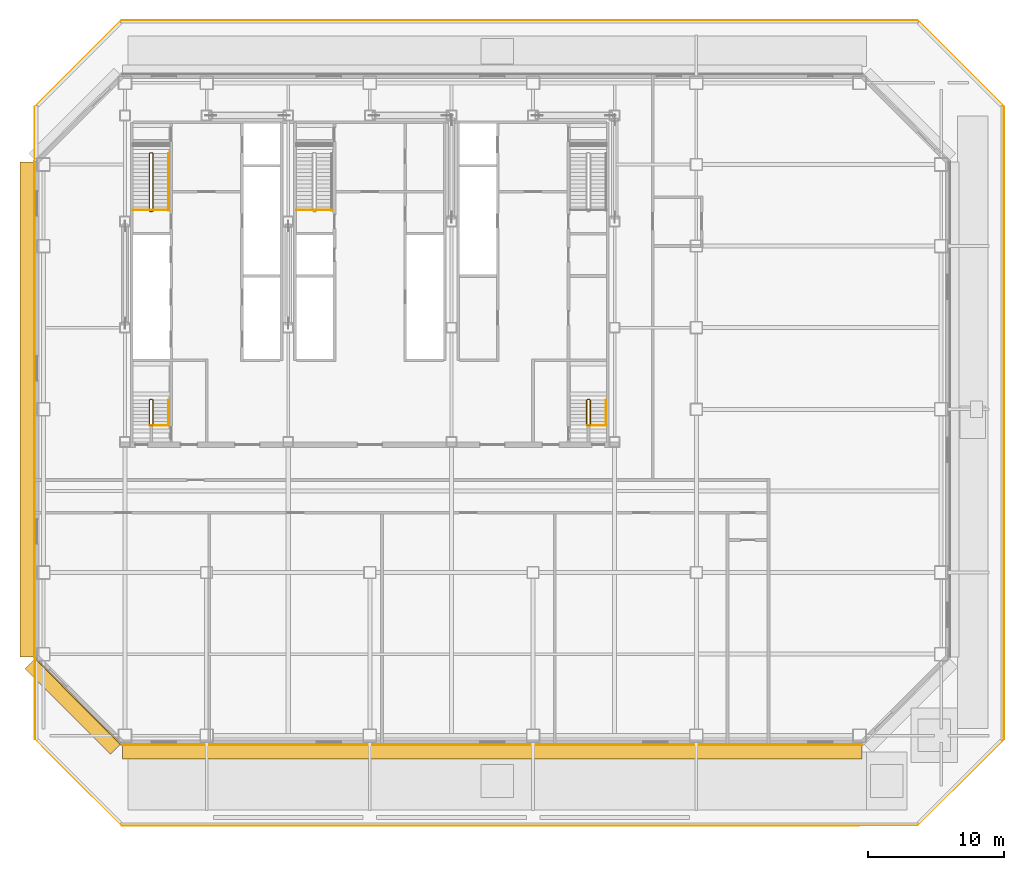
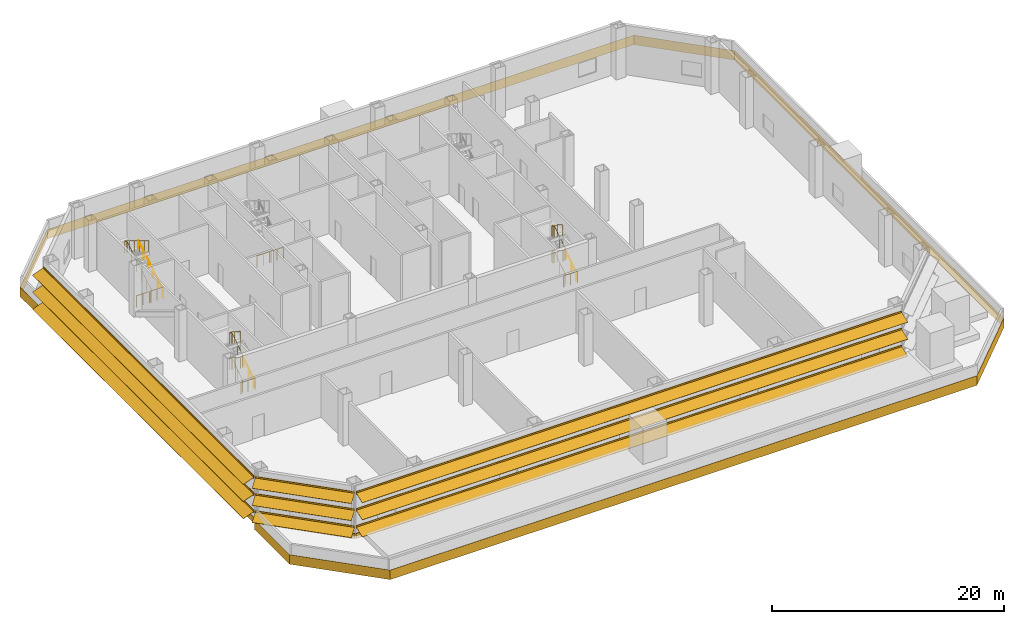
# One storey, part 9 of 11: 14 railings, 5 coverings, 3 shading devices.
"""IFC4 building model written with IfcOpenShell, lengths in metres."""

from ifc_helpers import new_model, si_unit, direction, frame, origin, origin_2d, place, context, subcontext, project, spatial, polyline, circle, outline, composite_profile, extrude, material, layer, layer_set, type_object, element, save


model = new_model("IFC4")

# Units and contexts
model_context = context("Model", 3, precision=1e-05, world=origin(), true_north=direction((0.0, 1.0)))
body_context = subcontext(model_context, "Body", "Model", "MODEL_VIEW")
ifc_project = project(units=[si_unit("LENGTHUNIT", "METRE"), si_unit("AREAUNIT", "SQUARE_METRE"), si_unit("VOLUMEUNIT", "CUBIC_METRE"), si_unit("PLANEANGLEUNIT", "RADIAN"), si_unit("MASSUNIT", "GRAM", prefix="KILO")], contexts=[model_context])

# Site, building, storey
site_placement = place(None, origin())
site = spatial("IfcSite", under=ifc_project, at=site_placement, CompositionType="ELEMENT")
building_placement = place(site_placement, origin())
building = spatial("IfcBuilding", under=site, at=building_placement, Name="Sorahane Residences", CompositionType="ELEMENT")
storey_placement = place(building_placement, frame((0.0, 0.0, 44.39990234375)))
storey = spatial("IfcBuildingStorey", under=building, at=storey_placement, Name="L07", CompositionType="ELEMENT", Elevation=44.39990234375)

# Coverings
ifc_material_1 = material(Name="Dark bronze aluminium", Category="aluminium")
ifc_layer_1 = layer(ifc_material_1, 0.02001953125)
ifc_layer_set_1 = layer_set([ifc_layer_1], Name="Edge fascia dark bronze aluminium 20")
covering_type_1 = type_object("IfcCoveringType", Name="Edge fascia dark bronze aluminium 20", PredefinedType="CLADDING", material=ifc_layer_set_1)
covering_1_placement = place(storey_placement, frame((0.0, 0.0, -1.0)))
element("IfcCovering", 1, at=covering_1_placement, inside=storey, type_object=covering_type_1, Name="Edge fascia L07.1.1", PredefinedType="CLADDING", context=body_context, shape_type="SweptSolid", body=[
    extrude(outline(polyline([(-0.62109375, 5.7373046875), (-0.60107421875, 5.7373046875), (-0.60107421875, -0.24853515625), (-0.62109375, -0.24853515625), (-0.62109375, 5.7373046875)])), origin(), (0.0, 0.0, 1.0), 1.0),
])
covering_2_placement = place(storey_placement, frame((0.0, 0.0, -1.0)))
element("IfcCovering", 2, at=covering_2_placement, inside=storey, type_object=covering_type_1, Name="Edge fascia L07.1.2", PredefinedType="CLADDING", context=body_context, shape_type="SweptSolid", body=[
    extrude(outline(polyline([(-0.62109375, 46.257080078125), (5.742919921875, 52.62109375), (64.257080078125, 52.62109375), (70.62109375, 46.257080078125), (70.62109375, -0.257080078125), (64.257080078125, -6.62109375), (5.742919921875, -6.62109375), (-0.61474609375, -0.263427734375), (-0.6005859375, -0.249267578125), (5.751220703125, -6.60107421875), (64.248779296875, -6.60107421875), (70.60107421875, -0.248779296875), (70.60107421875, 46.248779296875), (64.248779296875, 52.60107421875), (5.751220703125, 52.60107421875), (-0.60107421875, 46.248779296875), (-0.60107421875, 42.2626953125), (-0.62109375, 42.2626953125), (-0.62109375, 46.257080078125)])), origin(), (0.0, 0.0, 1.0), 1.0),
])

# Shading devices
ifc_material_2 = material(Name="Terracotta anodised aluminium", Category="masonry")
shading_device_type_1 = type_object("IfcShadingDeviceType", Name="Louvre sunshade blade S terracotta aluminium 1100", PredefinedType="JALOUSIE", material=ifc_material_2)
shading_device_1_placement = place(storey_placement, frame((5.801513671875, -0.60009765625, 0.900146484375), z_axis=(1.0, 0.0, 0.0), x_axis=(0.0, 1.0, 0.0)))
element("IfcShadingDevice", 3, at=shading_device_1_placement, inside=storey, type_object=shading_device_type_1, Name="Louvre sunshade blade bank S L07 S1", PredefinedType="JALOUSIE", context=body_context, shape_type="SweptSolid", body=[
    extrude(composite_profile([outline(polyline([(-1.1201171875, -0.385498046875), (-1.1201171875, -0.415283203125), (-0.080078125, -0.036865234375), (-0.080078125, -0.14990234375), (-0.02001953125, -0.14990234375), (-0.02001953125, -0.014892578125), (-0.02001953125, 0.014892578125), (-0.02001953125, 0.14990234375), (-0.080078125, 0.14990234375), (-0.080078125, -0.0068359375), (-1.1201171875, -0.385498046875)])), outline(polyline([(-1.1201171875, 1.41455078125), (-1.1201171875, 1.384521484375), (-0.080078125, 1.76318359375), (-0.080078125, 1.64990234375), (-0.02001953125, 1.64990234375), (-0.02001953125, 1.784912109375), (-0.02001953125, 1.81494140625), (-0.02001953125, 1.949951171875), (-0.080078125, 1.949951171875), (-0.080078125, 1.793212890625), (-1.1201171875, 1.41455078125)])), outline(polyline([(-1.1201171875, 3.214599609375), (-1.1201171875, 3.1845703125), (-0.080078125, 3.563232421875), (-0.080078125, 3.449951171875), (-0.02001953125, 3.449951171875), (-0.02001953125, 3.5849609375), (-0.02001953125, 3.614990234375), (-0.02001953125, 3.75), (-0.080078125, 3.75), (-0.080078125, 3.59326171875), (-1.1201171875, 3.214599609375)]))]), origin(), (0.0, 0.0, 1.0), 54.39697265625),
])
ifc_material_3 = material(Name="Terracotta anodised aluminium", Category="masonry")
shading_device_type_2 = type_object("IfcShadingDeviceType", Name="Louvre sunshade blade SW terracotta aluminium 1100", PredefinedType="JALOUSIE", material=ifc_material_3)
shading_device_2_placement = place(storey_placement, frame((-0.564697265625, 5.716064453125, 0.900146484375), z_axis=(0.707106781187, -0.707106781187, 0.0), x_axis=(0.707106781187, 0.707106781187, 0.0)))
element("IfcShadingDevice", 4, at=shading_device_2_placement, inside=storey, type_object=shading_device_type_2, Name="Louvre sunshade blade bank SW L07 SW1", PredefinedType="JALOUSIE", context=body_context, shape_type="SweptSolid", body=[
    extrude(composite_profile([outline(polyline([(-1.1201171875, -0.385498046875), (-1.1201171875, -0.415283203125), (-0.080078125, -0.036865234375), (-0.080078125, -0.14990234375), (-0.02001953125, -0.14990234375), (-0.02001953125, -0.014892578125), (-0.02001953125, 0.014892578125), (-0.02001953125, 0.14990234375), (-0.080078125, 0.14990234375), (-0.080078125, -0.0068359375), (-1.1201171875, -0.385498046875)])), outline(polyline([(-1.1201171875, 1.41455078125), (-1.1201171875, 1.384521484375), (-0.080078125, 1.76318359375), (-0.080078125, 1.64990234375), (-0.02001953125, 1.64990234375), (-0.02001953125, 1.784912109375), (-0.02001953125, 1.81494140625), (-0.02001953125, 1.949951171875), (-0.080078125, 1.949951171875), (-0.080078125, 1.793212890625), (-1.1201171875, 1.41455078125)])), outline(polyline([(-1.1201171875, 3.214599609375), (-1.1201171875, 3.1845703125), (-0.080078125, 3.563232421875), (-0.080078125, 3.449951171875), (-0.02001953125, 3.449951171875), (-0.02001953125, 3.5849609375), (-0.02001953125, 3.614990234375), (-0.02001953125, 3.75), (-0.080078125, 3.75), (-0.080078125, 3.59326171875), (-1.1201171875, 3.214599609375)]))]), origin(), (0.0, 0.0, 1.0), 8.88232421875),
])
ifc_material_4 = material(Name="Terracotta anodised aluminium", Category="masonry")
shading_device_type_3 = type_object("IfcShadingDeviceType", Name="Louvre sunshade blade W terracotta aluminium 1100", PredefinedType="JALOUSIE", material=ifc_material_4)
shading_device_3_placement = place(storey_placement, frame((-0.60009765625, 42.198486328125, 0.900146484375), z_axis=(0.0, -1.0, 0.0), x_axis=(1.0, 0.0, 0.0)))
element("IfcShadingDevice", 5, at=shading_device_3_placement, inside=storey, type_object=shading_device_type_3, Name="Louvre sunshade blade bank W L07 W1", PredefinedType="JALOUSIE", context=body_context, shape_type="SweptSolid", body=[
    extrude(composite_profile([outline(polyline([(-1.1201171875, -0.385498046875), (-1.1201171875, -0.415283203125), (-0.080078125, -0.036865234375), (-0.080078125, -0.14990234375), (-0.02001953125, -0.14990234375), (-0.02001953125, -0.014892578125), (-0.02001953125, 0.014892578125), (-0.02001953125, 0.14990234375), (-0.080078125, 0.14990234375), (-0.080078125, -0.0068359375), (-1.1201171875, -0.385498046875)])), outline(polyline([(-1.1201171875, 1.41455078125), (-1.1201171875, 1.384521484375), (-0.080078125, 1.76318359375), (-0.080078125, 1.64990234375), (-0.02001953125, 1.64990234375), (-0.02001953125, 1.784912109375), (-0.02001953125, 1.81494140625), (-0.02001953125, 1.949951171875), (-0.080078125, 1.949951171875), (-0.080078125, 1.793212890625), (-1.1201171875, 1.41455078125)])), outline(polyline([(-1.1201171875, 3.214599609375), (-1.1201171875, 3.1845703125), (-0.080078125, 3.563232421875), (-0.080078125, 3.449951171875), (-0.02001953125, 3.449951171875), (-0.02001953125, 3.5849609375), (-0.02001953125, 3.614990234375), (-0.02001953125, 3.75), (-0.080078125, 3.75), (-0.080078125, 3.59326171875), (-1.1201171875, 3.214599609375)]))]), origin(), (0.0, 0.0, 1.0), 36.39697265625),
])

# Coverings
ifc_material_5 = material(Name="Pale precast concrete cladding", Category="concrete")
ifc_layer_2 = layer(ifc_material_5, 0.06005859375)
ifc_layer_set_2 = layer_set([ifc_layer_2], Name="Slab edge fascia band pale precast concrete 550")
covering_type_2 = type_object("IfcCoveringType", Name="Slab edge fascia band pale precast concrete 550", PredefinedType="CLADDING", material=ifc_layer_set_2)
covering_3_placement = place(storey_placement, frame((5.771484375, -0.60009765625, -0.02490234375), z_axis=(1.0, 0.0, 0.0), x_axis=(0.0, 1.0, 0.0)))
element("IfcCovering", 6, at=covering_3_placement, inside=storey, type_object=covering_type_2, Name="Slab edge fascia pale L07 S1", PredefinedType="CLADDING", context=body_context, shape_type="SweptSolid", body=[
    extrude(outline(polyline([(-0.02001953125, 0.27490234375), (-0.080078125, 0.27490234375), (-0.080078125, -0.27490234375), (-0.02001953125, -0.27490234375), (-0.02001953125, 0.27490234375)])), origin(), (0.0, 0.0, 1.0), 54.45703125),
])
covering_4_placement = place(storey_placement, frame((-0.60009765625, 42.228515625, -0.02490234375), z_axis=(0.0, -1.0, 0.0), x_axis=(1.0, 0.0, 0.0)))
element("IfcCovering", 7, at=covering_4_placement, inside=storey, type_object=covering_type_2, Name="Slab edge fascia pale L07 W1", PredefinedType="CLADDING", context=body_context, shape_type="SweptSolid", body=[
    extrude(outline(polyline([(-0.02001953125, 0.27490234375), (-0.080078125, 0.27490234375), (-0.080078125, -0.27490234375), (-0.02001953125, -0.27490234375), (-0.02001953125, 0.27490234375)])), origin(), (0.0, 0.0, 1.0), 36.45703125),
])
covering_5_placement = place(storey_placement, frame((-0.5859375, 5.7373046875, -0.02490234375), z_axis=(0.707106781187, -0.707106781187, 0.0), x_axis=(0.707106781187, 0.707106781187, 0.0)))
element("IfcCovering", 8, at=covering_5_placement, inside=storey, type_object=covering_type_2, Name="Slab edge fascia pale L07 SW1", PredefinedType="CLADDING", context=body_context, shape_type="SweptSolid", body=[
    extrude(outline(polyline([(-0.02001953125, 0.27490234375), (-0.080078125, 0.27490234375), (-0.080078125, -0.27490234375), (-0.02001953125, -0.27490234375), (-0.02001953125, 0.27490234375)])), origin(), (0.0, 0.0, 1.0), 8.9423828125),
])

# Railings
ifc_material_6 = material(Name="Steel Q355B", Category="steel")
railing_type_1 = type_object("IfcRailingType", Name="Stair guard 1200 Steel Q355B", PredefinedType="GUARDRAIL", material=ifc_material_6)
for number, where, name in (
    (9, (6.60009765625, 38.64990234375, 0.0), "L07 Stair S1 edge guard"),
    (10, (7.983154296875, 38.64990234375, 0.0), "L07 Stair S1 edge guard"),
):
    element("IfcRailing", number, at=place(storey_placement, frame(where)), inside=storey, type_object=railing_type_1, Name=name, PredefinedType="GUARDRAIL", context=body_context, shape_type="SweptSolid", body=[
        extrude(circle(Radius=0.02392578125, at=origin_2d()), frame((0.0, 0.0, 1.17578125), z_axis=(1.0, 0.0, 0.0), x_axis=(0.0, 1.0, 0.0)), (0.0, 0.0, 1.0), 1.266845703125),
        extrude(circle(Radius=0.02099609375, at=origin_2d()), origin(), (0.0, 0.0, 1.0), 1.15185546875),
        extrude(circle(Radius=0.02099609375, at=origin_2d()), frame((0.63330078125, 0.0, 0.0)), (0.0, 0.0, 1.0), 1.15185546875),
        extrude(circle(Radius=0.02099609375, at=origin_2d()), frame((1.266845703125, 0.0, 0.0)), (0.0, 0.0, 1.0), 1.15185546875),
    ])
railing_1_placement = place(storey_placement, frame((7.85009765625, 38.550048828125, 0.0)))
element("IfcRailing", 11, at=railing_1_placement, inside=storey, type_object=railing_type_1, Name="L07 S1 stair guard 1", PredefinedType="GUARDRAIL", context=body_context, shape_type="SweptSolid", body=[
    extrude(circle(Radius=0.02392578125, at=origin_2d()), frame((0.0, 0.0, 1.17578125), z_axis=(1.0, 0.0, 0.0), x_axis=(0.0, 1.0, 0.0)), (0.0, 0.0, 1.0), 0.14990234375),
    extrude(circle(Radius=0.02392578125, at=origin_2d()), frame((0.14990234375, 0.0, 1.17578125), z_axis=(0.273232802156, 0.273232802156, 0.922327312645), x_axis=(-0.707106781187, 0.707106781187, 0.0)), (0.0, 0.0, 1.0), 0.18310546875),
    extrude(circle(Radius=0.02392578125, at=origin_2d()), frame((0.199951171875, 0.050048828125, 1.3447265625), z_axis=(0.0, 0.856476492594, 0.516186030065), x_axis=(-1.0, 0.0, 0.0)), (0.0, 0.0, 1.0), 4.90380859375),
    extrude(circle(Radius=0.02392578125, at=origin_2d()), frame((0.199951171875, 4.25, 3.8759765625), z_axis=(-0.707106781187, 0.707106781187, 0.0), x_axis=(-0.707106781187, -0.707106781187, 0.0)), (0.0, 0.0, 1.0), 0.07080078125),
    extrude(circle(Radius=0.02392578125, at=origin_2d()), frame((0.14990234375, 4.300048828125, 3.8759765625), z_axis=(-1.0, 0.0, 0.0), x_axis=(0.0, -1.0, 0.0)), (0.0, 0.0, 1.0), 0.14990234375),
    extrude(circle(Radius=0.02392578125, at=origin_2d()), frame((0.0, 4.300048828125, 3.8759765625), z_axis=(-0.273569069059, -0.273569069059, 0.922127935218), x_axis=(0.707106781187, -0.707106781187, 0.0)), (0.0, 0.0, 1.0), 0.182861328125),
    extrude(circle(Radius=0.02392578125, at=origin_2d()), frame((-0.050048828125, 4.25, 4.044921875), z_axis=(0.0, -0.856476492594, 0.516186030065), x_axis=(1.0, 0.0, 0.0)), (0.0, 0.0, 1.0), 4.90380859375),
    extrude(circle(Radius=0.02099609375, at=origin_2d()), origin(), (0.0, 0.0, 1.0), 1.15185546875),
    extrude(circle(Radius=0.02099609375, at=origin_2d()), frame((0.14990234375, 0.0, 0.0)), (0.0, 0.0, 1.0), 1.15185546875),
    extrude(circle(Radius=0.02099609375, at=origin_2d()), frame((0.199951171875, 0.050048828125, 0.1689453125)), (0.0, 0.0, 1.0), 1.15185546875),
    extrude(circle(Radius=0.02099609375, at=origin_2d()), frame((0.199951171875, 0.89013671875, 0.67529296875)), (0.0, 0.0, 1.0), 1.15185546875),
    extrude(circle(Radius=0.02099609375, at=origin_2d()), frame((0.199951171875, 1.72998046875, 1.181396484375)), (0.0, 0.0, 1.0), 1.15185546875),
    extrude(circle(Radius=0.02099609375, at=origin_2d()), frame((0.199951171875, 2.570068359375, 1.687744140625)), (0.0, 0.0, 1.0), 1.15185546875),
    extrude(circle(Radius=0.02099609375, at=origin_2d()), frame((0.199951171875, 3.409912109375, 2.19384765625)), (0.0, 0.0, 1.0), 1.15185546875),
    extrude(circle(Radius=0.02099609375, at=origin_2d()), frame((0.199951171875, 4.25, 2.7001953125)), (0.0, 0.0, 1.0), 1.15185546875),
    extrude(circle(Radius=0.02099609375, at=origin_2d()), frame((0.14990234375, 4.300048828125, 2.7001953125)), (0.0, 0.0, 1.0), 1.15185546875),
    extrude(circle(Radius=0.02099609375, at=origin_2d()), frame((0.0, 4.300048828125, 2.7001953125)), (0.0, 0.0, 1.0), 1.15185546875),
    extrude(circle(Radius=0.02099609375, at=origin_2d()), frame((-0.050048828125, 4.25, 2.868896484375)), (0.0, 0.0, 1.0), 1.15185546875),
    extrude(circle(Radius=0.02099609375, at=origin_2d()), frame((-0.050048828125, 3.409912109375, 3.375244140625)), (0.0, 0.0, 1.0), 1.15185546875),
    extrude(circle(Radius=0.02099609375, at=origin_2d()), frame((-0.050048828125, 2.570068359375, 3.88134765625)), (0.0, 0.0, 1.0), 1.15185546875),
    extrude(circle(Radius=0.02099609375, at=origin_2d()), frame((-0.050048828125, 1.72998046875, 4.3876953125)), (0.0, 0.0, 1.0), 1.15185546875),
    extrude(circle(Radius=0.02099609375, at=origin_2d()), frame((-0.050048828125, 0.89013671875, 4.893798828125)), (0.0, 0.0, 1.0), 1.15185546875),
    extrude(circle(Radius=0.02099609375, at=origin_2d()), frame((-0.050048828125, 0.050048828125, 5.400146484375)), (0.0, 0.0, 1.0), 1.15185546875),
])
for number, where, name in (
    (12, (18.60009765625, 38.64990234375, 0.0), "L07 Stair S3 edge guard"),
    (13, (19.983154296875, 38.64990234375, 0.0), "L07 Stair S3 edge guard"),
):
    element("IfcRailing", number, at=place(storey_placement, frame(where)), inside=storey, type_object=railing_type_1, Name=name, PredefinedType="GUARDRAIL", context=body_context, shape_type="SweptSolid", body=[
        extrude(circle(Radius=0.02392578125, at=origin_2d()), frame((0.0, 0.0, 1.17578125), z_axis=(1.0, 0.0, 0.0), x_axis=(0.0, 1.0, 0.0)), (0.0, 0.0, 1.0), 1.266845703125),
        extrude(circle(Radius=0.02099609375, at=origin_2d()), origin(), (0.0, 0.0, 1.0), 1.15185546875),
        extrude(circle(Radius=0.02099609375, at=origin_2d()), frame((0.63330078125, 0.0, 0.0)), (0.0, 0.0, 1.0), 1.15185546875),
        extrude(circle(Radius=0.02099609375, at=origin_2d()), frame((1.266845703125, 0.0, 0.0)), (0.0, 0.0, 1.0), 1.15185546875),
    ])
railing_2_placement = place(storey_placement, frame((9.25, 22.800048828125, 0.0)))
element("IfcRailing", 14, at=railing_2_placement, inside=storey, type_object=railing_type_1, Name="L07 S4 top well guard 1", PredefinedType="GUARDRAIL", context=body_context, shape_type="SweptSolid", body=[
    extrude(circle(Radius=0.02392578125, at=origin_2d()), frame((0.0, 0.0, 1.17578125), z_axis=(-1.0, 0.0, 0.0), x_axis=(0.0, -1.0, 0.0)), (0.0, 0.0, 1.0), 1.39990234375),
    extrude(circle(Radius=0.02099609375, at=origin_2d()), origin(), (0.0, 0.0, 1.0), 1.15185546875),
    extrude(circle(Radius=0.02099609375, at=origin_2d()), frame((-0.699951171875, 0.0, 0.0)), (0.0, 0.0, 1.0), 1.15185546875),
    extrude(circle(Radius=0.02099609375, at=origin_2d()), frame((-1.39990234375, 0.0, 0.0)), (0.0, 0.0, 1.0), 1.15185546875),
])
railing_3_placement = place(storey_placement, frame((7.85009765625, 22.800048828125, 0.0)))
element("IfcRailing", 15, at=railing_3_placement, inside=storey, type_object=railing_type_1, Name="L07 S4 stair guard 1", PredefinedType="GUARDRAIL", context=body_context, shape_type="SweptSolid", body=[
    extrude(circle(Radius=0.02392578125, at=origin_2d()), frame((0.0, 0.0, 1.17578125), z_axis=(1.0, 0.0, 0.0), x_axis=(0.0, 1.0, 0.0)), (0.0, 0.0, 1.0), 0.14990234375),
    extrude(circle(Radius=0.02392578125, at=origin_2d()), frame((0.14990234375, 0.0, 1.17578125), z_axis=(0.273232802156, 0.273232802156, 0.922327312645), x_axis=(-0.707106781187, 0.707106781187, 0.0)), (0.0, 0.0, 1.0), 0.18310546875),
    extrude(circle(Radius=0.02392578125, at=origin_2d()), frame((0.199951171875, 0.050048828125, 1.3447265625), z_axis=(0.0, 0.838808512231, 0.544426560528), x_axis=(-1.0, 0.0, 0.0)), (0.0, 0.0, 1.0), 2.16943359375),
    extrude(circle(Radius=0.02392578125, at=origin_2d()), frame((0.199951171875, 1.869873046875, 2.52587890625), z_axis=(-0.707106781187, 0.707106781187, 0.0), x_axis=(-0.707106781187, -0.707106781187, 0.0)), (0.0, 0.0, 1.0), 0.07080078125),
    extrude(circle(Radius=0.02392578125, at=origin_2d()), frame((0.14990234375, 1.919921875, 2.52587890625), z_axis=(-1.0, 0.0, 0.0), x_axis=(0.0, -1.0, 0.0)), (0.0, 0.0, 1.0), 0.14990234375),
    extrude(circle(Radius=0.02392578125, at=origin_2d()), frame((0.0, 1.919921875, 2.52587890625), z_axis=(-0.273569069059, -0.273569069059, 0.922127935218), x_axis=(0.707106781187, -0.707106781187, 0.0)), (0.0, 0.0, 1.0), 0.182861328125),
    extrude(circle(Radius=0.02392578125, at=origin_2d()), frame((-0.050048828125, 1.869873046875, 2.69482421875), z_axis=(0.0, -0.838757122003, 0.544505730262), x_axis=(1.0, 0.0, 0.0)), (0.0, 0.0, 1.0), 2.169677734375),
    extrude(circle(Radius=0.02099609375, at=origin_2d()), origin(), (0.0, 0.0, 1.0), 1.15185546875),
    extrude(circle(Radius=0.02099609375, at=origin_2d()), frame((0.14990234375, 0.0, 0.0)), (0.0, 0.0, 1.0), 1.15185546875),
    extrude(circle(Radius=0.02099609375, at=origin_2d()), frame((0.199951171875, 0.050048828125, 0.1689453125)), (0.0, 0.0, 1.0), 1.15185546875),
    extrude(circle(Radius=0.02099609375, at=origin_2d()), frame((0.199951171875, 0.9599609375, 0.759521484375)), (0.0, 0.0, 1.0), 1.15185546875),
    extrude(circle(Radius=0.02099609375, at=origin_2d()), frame((0.199951171875, 1.869873046875, 1.35009765625)), (0.0, 0.0, 1.0), 1.15185546875),
    extrude(circle(Radius=0.02099609375, at=origin_2d()), frame((0.14990234375, 1.919921875, 1.35009765625)), (0.0, 0.0, 1.0), 1.15185546875),
    extrude(circle(Radius=0.02099609375, at=origin_2d()), frame((0.0, 1.919921875, 1.35009765625)), (0.0, 0.0, 1.0), 1.15185546875),
    extrude(circle(Radius=0.02099609375, at=origin_2d()), frame((-0.050048828125, 1.869873046875, 1.518798828125)), (0.0, 0.0, 1.0), 1.15185546875),
    extrude(circle(Radius=0.02099609375, at=origin_2d()), frame((-0.050048828125, 0.9599609375, 2.109375)), (0.0, 0.0, 1.0), 1.15185546875),
    extrude(circle(Radius=0.02099609375, at=origin_2d()), frame((-0.050048828125, 0.050048828125, 2.7001953125)), (0.0, 0.0, 1.0), 1.15185546875),
])
railing_4_placement = place(storey_placement, frame((7.85009765625, 22.800048828125, 2.7001953125)))
element("IfcRailing", 16, at=railing_4_placement, inside=storey, type_object=railing_type_1, Name="L07 S4 stair guard 2", PredefinedType="GUARDRAIL", context=body_context, shape_type="SweptSolid", body=[
    extrude(circle(Radius=0.02392578125, at=origin_2d()), frame((0.0, 0.0, 1.17578125), z_axis=(1.0, 0.0, 0.0), x_axis=(0.0, 1.0, 0.0)), (0.0, 0.0, 1.0), 0.14990234375),
    extrude(circle(Radius=0.02392578125, at=origin_2d()), frame((0.14990234375, 0.0, 1.17578125), z_axis=(0.273569069059, 0.273569069059, 0.922127935218), x_axis=(-0.707106781187, 0.707106781187, 0.0)), (0.0, 0.0, 1.0), 0.182861328125),
    extrude(circle(Radius=0.02392578125, at=origin_2d()), frame((0.199951171875, 0.050048828125, 1.3447265625), z_axis=(0.0, 0.838808512231, 0.544426560528), x_axis=(-1.0, 0.0, 0.0)), (0.0, 0.0, 1.0), 2.16943359375),
    extrude(circle(Radius=0.02392578125, at=origin_2d()), frame((0.199951171875, 1.869873046875, 2.52587890625), z_axis=(-0.707106781187, 0.707106781187, 0.0), x_axis=(-0.707106781187, -0.707106781187, 0.0)), (0.0, 0.0, 1.0), 0.07080078125),
    extrude(circle(Radius=0.02392578125, at=origin_2d()), frame((0.14990234375, 1.919921875, 2.52587890625), z_axis=(-1.0, 0.0, 0.0), x_axis=(0.0, -1.0, 0.0)), (0.0, 0.0, 1.0), 0.14990234375),
    extrude(circle(Radius=0.02392578125, at=origin_2d()), frame((0.0, 1.919921875, 2.52587890625), z_axis=(-0.273569069059, -0.273569069059, 0.922127935218), x_axis=(0.707106781187, -0.707106781187, 0.0)), (0.0, 0.0, 1.0), 0.182861328125),
    extrude(circle(Radius=0.02392578125, at=origin_2d()), frame((-0.050048828125, 1.869873046875, 2.6943359375), z_axis=(0.0, -0.838757122003, 0.544505730262), x_axis=(1.0, 0.0, 0.0)), (0.0, 0.0, 1.0), 2.169677734375),
    extrude(circle(Radius=0.02099609375, at=origin_2d()), origin(), (0.0, 0.0, 1.0), 1.15185546875),
    extrude(circle(Radius=0.02099609375, at=origin_2d()), frame((0.14990234375, 0.0, 0.0)), (0.0, 0.0, 1.0), 1.15185546875),
    extrude(circle(Radius=0.02099609375, at=origin_2d()), frame((0.199951171875, 0.050048828125, 0.168701171875)), (0.0, 0.0, 1.0), 1.15185546875),
    extrude(circle(Radius=0.02099609375, at=origin_2d()), frame((0.199951171875, 0.9599609375, 0.75927734375)), (0.0, 0.0, 1.0), 1.15185546875),
    extrude(circle(Radius=0.02099609375, at=origin_2d()), frame((0.199951171875, 1.869873046875, 1.349853515625)), (0.0, 0.0, 1.0), 1.15185546875),
    extrude(circle(Radius=0.02099609375, at=origin_2d()), frame((0.14990234375, 1.919921875, 1.349853515625)), (0.0, 0.0, 1.0), 1.15185546875),
    extrude(circle(Radius=0.02099609375, at=origin_2d()), frame((0.0, 1.919921875, 1.349853515625)), (0.0, 0.0, 1.0), 1.15185546875),
    extrude(circle(Radius=0.02099609375, at=origin_2d()), frame((-0.050048828125, 1.869873046875, 1.5185546875)), (0.0, 0.0, 1.0), 1.15185546875),
    extrude(circle(Radius=0.02099609375, at=origin_2d()), frame((-0.050048828125, 0.9599609375, 2.109375)), (0.0, 0.0, 1.0), 1.15185546875),
    extrude(circle(Radius=0.02099609375, at=origin_2d()), frame((-0.050048828125, 0.050048828125, 2.699951171875)), (0.0, 0.0, 1.0), 1.15185546875),
])
railing_5_placement = place(storey_placement, frame((41.39990234375, 22.800048828125, 0.0)))
element("IfcRailing", 17, at=railing_5_placement, inside=storey, type_object=railing_type_1, Name="L07 S5 top well guard 1", PredefinedType="GUARDRAIL", context=body_context, shape_type="SweptSolid", body=[
    extrude(circle(Radius=0.02392578125, at=origin_2d()), frame((0.0, 0.0, 1.17578125), z_axis=(-1.0, 0.0, 0.0), x_axis=(0.0, -1.0, 0.0)), (0.0, 0.0, 1.0), 1.39990234375),
    extrude(circle(Radius=0.02099609375, at=origin_2d()), origin(), (0.0, 0.0, 1.0), 1.15185546875),
    extrude(circle(Radius=0.02099609375, at=origin_2d()), frame((-0.699951171875, 0.0, 0.0)), (0.0, 0.0, 1.0), 1.15185546875),
    extrude(circle(Radius=0.02099609375, at=origin_2d()), frame((-1.39990234375, 0.0, 0.0)), (0.0, 0.0, 1.0), 1.15185546875),
])
railing_6_placement = place(storey_placement, frame((40.0, 22.800048828125, 0.0)))
element("IfcRailing", 18, at=railing_6_placement, inside=storey, type_object=railing_type_1, Name="L07 S5 stair guard 1", PredefinedType="GUARDRAIL", context=body_context, shape_type="SweptSolid", body=[
    extrude(circle(Radius=0.02392578125, at=origin_2d()), frame((0.0, 0.0, 1.17578125), z_axis=(1.0, 0.0, 0.0), x_axis=(0.0, 1.0, 0.0)), (0.0, 0.0, 1.0), 0.14990234375),
    extrude(circle(Radius=0.02392578125, at=origin_2d()), frame((0.14990234375, 0.0, 1.17578125), z_axis=(0.273232802156, 0.273232802156, 0.922327312645), x_axis=(-0.707106781187, 0.707106781187, 0.0)), (0.0, 0.0, 1.0), 0.18310546875),
    extrude(circle(Radius=0.02392578125, at=origin_2d()), frame((0.199951171875, 0.050048828125, 1.3447265625), z_axis=(0.0, 0.838808512231, 0.544426560528), x_axis=(-1.0, 0.0, 0.0)), (0.0, 0.0, 1.0), 2.16943359375),
    extrude(circle(Radius=0.02392578125, at=origin_2d()), frame((0.199951171875, 1.869873046875, 2.52587890625), z_axis=(-0.707106781187, 0.707106781187, 0.0), x_axis=(-0.707106781187, -0.707106781187, 0.0)), (0.0, 0.0, 1.0), 0.07080078125),
    extrude(circle(Radius=0.02392578125, at=origin_2d()), frame((0.14990234375, 1.919921875, 2.52587890625), z_axis=(-1.0, 0.0, 0.0), x_axis=(0.0, -1.0, 0.0)), (0.0, 0.0, 1.0), 0.14990234375),
    extrude(circle(Radius=0.02392578125, at=origin_2d()), frame((0.0, 1.919921875, 2.52587890625), z_axis=(-0.273569069059, -0.273569069059, 0.922127935218), x_axis=(0.707106781187, -0.707106781187, 0.0)), (0.0, 0.0, 1.0), 0.182861328125),
    extrude(circle(Radius=0.02392578125, at=origin_2d()), frame((-0.050048828125, 1.869873046875, 2.69482421875), z_axis=(0.0, -0.838757122003, 0.544505730262), x_axis=(1.0, 0.0, 0.0)), (0.0, 0.0, 1.0), 2.169677734375),
    extrude(circle(Radius=0.02099609375, at=origin_2d()), origin(), (0.0, 0.0, 1.0), 1.15185546875),
    extrude(circle(Radius=0.02099609375, at=origin_2d()), frame((0.14990234375, 0.0, 0.0)), (0.0, 0.0, 1.0), 1.15185546875),
    extrude(circle(Radius=0.02099609375, at=origin_2d()), frame((0.199951171875, 0.050048828125, 0.1689453125)), (0.0, 0.0, 1.0), 1.15185546875),
    extrude(circle(Radius=0.02099609375, at=origin_2d()), frame((0.199951171875, 0.9599609375, 0.759521484375)), (0.0, 0.0, 1.0), 1.15185546875),
    extrude(circle(Radius=0.02099609375, at=origin_2d()), frame((0.199951171875, 1.869873046875, 1.35009765625)), (0.0, 0.0, 1.0), 1.15185546875),
    extrude(circle(Radius=0.02099609375, at=origin_2d()), frame((0.14990234375, 1.919921875, 1.35009765625)), (0.0, 0.0, 1.0), 1.15185546875),
    extrude(circle(Radius=0.02099609375, at=origin_2d()), frame((0.0, 1.919921875, 1.35009765625)), (0.0, 0.0, 1.0), 1.15185546875),
    extrude(circle(Radius=0.02099609375, at=origin_2d()), frame((-0.050048828125, 1.869873046875, 1.518798828125)), (0.0, 0.0, 1.0), 1.15185546875),
    extrude(circle(Radius=0.02099609375, at=origin_2d()), frame((-0.050048828125, 0.9599609375, 2.109375)), (0.0, 0.0, 1.0), 1.15185546875),
    extrude(circle(Radius=0.02099609375, at=origin_2d()), frame((-0.050048828125, 0.050048828125, 2.7001953125)), (0.0, 0.0, 1.0), 1.15185546875),
])
railing_7_placement = place(storey_placement, frame((40.0, 22.800048828125, 2.7001953125)))
element("IfcRailing", 19, at=railing_7_placement, inside=storey, type_object=railing_type_1, Name="L07 S5 stair guard 2", PredefinedType="GUARDRAIL", context=body_context, shape_type="SweptSolid", body=[
    extrude(circle(Radius=0.02392578125, at=origin_2d()), frame((0.0, 0.0, 1.17578125), z_axis=(1.0, 0.0, 0.0), x_axis=(0.0, 1.0, 0.0)), (0.0, 0.0, 1.0), 0.14990234375),
    extrude(circle(Radius=0.02392578125, at=origin_2d()), frame((0.14990234375, 0.0, 1.17578125), z_axis=(0.273569069059, 0.273569069059, 0.922127935218), x_axis=(-0.707106781187, 0.707106781187, 0.0)), (0.0, 0.0, 1.0), 0.182861328125),
    extrude(circle(Radius=0.02392578125, at=origin_2d()), frame((0.199951171875, 0.050048828125, 1.3447265625), z_axis=(0.0, 0.838808512231, 0.544426560528), x_axis=(-1.0, 0.0, 0.0)), (0.0, 0.0, 1.0), 2.16943359375),
    extrude(circle(Radius=0.02392578125, at=origin_2d()), frame((0.199951171875, 1.869873046875, 2.52587890625), z_axis=(-0.707106781187, 0.707106781187, 0.0), x_axis=(-0.707106781187, -0.707106781187, 0.0)), (0.0, 0.0, 1.0), 0.07080078125),
    extrude(circle(Radius=0.02392578125, at=origin_2d()), frame((0.14990234375, 1.919921875, 2.52587890625), z_axis=(-1.0, 0.0, 0.0), x_axis=(0.0, -1.0, 0.0)), (0.0, 0.0, 1.0), 0.14990234375),
    extrude(circle(Radius=0.02392578125, at=origin_2d()), frame((0.0, 1.919921875, 2.52587890625), z_axis=(-0.273569069059, -0.273569069059, 0.922127935218), x_axis=(0.707106781187, -0.707106781187, 0.0)), (0.0, 0.0, 1.0), 0.182861328125),
    extrude(circle(Radius=0.02392578125, at=origin_2d()), frame((-0.050048828125, 1.869873046875, 2.6943359375), z_axis=(0.0, -0.838757122003, 0.544505730262), x_axis=(1.0, 0.0, 0.0)), (0.0, 0.0, 1.0), 2.169677734375),
    extrude(circle(Radius=0.02099609375, at=origin_2d()), origin(), (0.0, 0.0, 1.0), 1.15185546875),
    extrude(circle(Radius=0.02099609375, at=origin_2d()), frame((0.14990234375, 0.0, 0.0)), (0.0, 0.0, 1.0), 1.15185546875),
    extrude(circle(Radius=0.02099609375, at=origin_2d()), frame((0.199951171875, 0.050048828125, 0.168701171875)), (0.0, 0.0, 1.0), 1.15185546875),
    extrude(circle(Radius=0.02099609375, at=origin_2d()), frame((0.199951171875, 0.9599609375, 0.75927734375)), (0.0, 0.0, 1.0), 1.15185546875),
    extrude(circle(Radius=0.02099609375, at=origin_2d()), frame((0.199951171875, 1.869873046875, 1.349853515625)), (0.0, 0.0, 1.0), 1.15185546875),
    extrude(circle(Radius=0.02099609375, at=origin_2d()), frame((0.14990234375, 1.919921875, 1.349853515625)), (0.0, 0.0, 1.0), 1.15185546875),
    extrude(circle(Radius=0.02099609375, at=origin_2d()), frame((0.0, 1.919921875, 1.349853515625)), (0.0, 0.0, 1.0), 1.15185546875),
    extrude(circle(Radius=0.02099609375, at=origin_2d()), frame((-0.050048828125, 1.869873046875, 1.5185546875)), (0.0, 0.0, 1.0), 1.15185546875),
    extrude(circle(Radius=0.02099609375, at=origin_2d()), frame((-0.050048828125, 0.9599609375, 2.109375)), (0.0, 0.0, 1.0), 1.15185546875),
    extrude(circle(Radius=0.02099609375, at=origin_2d()), frame((-0.050048828125, 0.050048828125, 2.699951171875)), (0.0, 0.0, 1.0), 1.15185546875),
])
ifc_material_7 = material(Name="Steel Q355B", Category="steel")
railing_type_2 = type_object("IfcRailingType", Name="Stair handrail 900 Steel Q355B", PredefinedType="HANDRAIL", material=ifc_material_7)
railing_8_placement = place(storey_placement, frame((9.199951171875, 38.60009765625, 0.1689453125)))
element("IfcRailing", 20, at=railing_8_placement, inside=storey, type_object=railing_type_2, Name="L07 S1 stair handrail 1", PredefinedType="HANDRAIL", context=body_context, shape_type="SweptSolid", body=[
    extrude(circle(Radius=0.02392578125, at=origin_2d()), frame((0.0, 0.0, 0.8759765625), z_axis=(0.0, 0.856476492594, 0.516186030065), x_axis=(-1.0, 0.0, 0.0)), (0.0, 0.0, 1.0), 4.90380859375),
    extrude(circle(Radius=0.02099609375, at=origin_2d()), origin(), (0.0, 0.0, 1.0), 0.851806640625),
    extrude(circle(Radius=0.02099609375, at=origin_2d()), frame((0.0, 0.840087890625, 0.50634765625)), (0.0, 0.0, 1.0), 0.851806640625),
    extrude(circle(Radius=0.02099609375, at=origin_2d()), frame((0.0, 1.679931640625, 1.012451171875)), (0.0, 0.0, 1.0), 0.851806640625),
    extrude(circle(Radius=0.02099609375, at=origin_2d()), frame((0.0, 2.52001953125, 1.518798828125)), (0.0, 0.0, 1.0), 0.851806640625),
    extrude(circle(Radius=0.02099609375, at=origin_2d()), frame((0.0, 3.35986328125, 2.02490234375)), (0.0, 0.0, 1.0), 0.851806640625),
    extrude(circle(Radius=0.02099609375, at=origin_2d()), frame((0.0, 4.199951171875, 2.53125)), (0.0, 0.0, 1.0), 0.851806640625),
])
for number, where, name in (
    (21, (9.199951171875, 22.85009765625, 0.1689453125), "L07 S4 stair handrail 1"),
    (22, (41.35009765625, 22.85009765625, 0.1689453125), "L07 S5 stair handrail 1"),
):
    element("IfcRailing", number, at=place(storey_placement, frame(where)), inside=storey, type_object=railing_type_2, Name=name, PredefinedType="HANDRAIL", context=body_context, shape_type="SweptSolid", body=[
        extrude(circle(Radius=0.02392578125, at=origin_2d()), frame((0.0, 0.0, 0.8759765625), z_axis=(0.0, 0.838808512231, 0.544426560528), x_axis=(-1.0, 0.0, 0.0)), (0.0, 0.0, 1.0), 2.16943359375),
        extrude(circle(Radius=0.02099609375, at=origin_2d()), origin(), (0.0, 0.0, 1.0), 0.851806640625),
        extrude(circle(Radius=0.02099609375, at=origin_2d()), frame((0.0, 0.909912109375, 0.590576171875)), (0.0, 0.0, 1.0), 0.851806640625),
        extrude(circle(Radius=0.02099609375, at=origin_2d()), frame((0.0, 1.81982421875, 1.18115234375)), (0.0, 0.0, 1.0), 0.851806640625),
    ])

save(model, "model.ifc")
